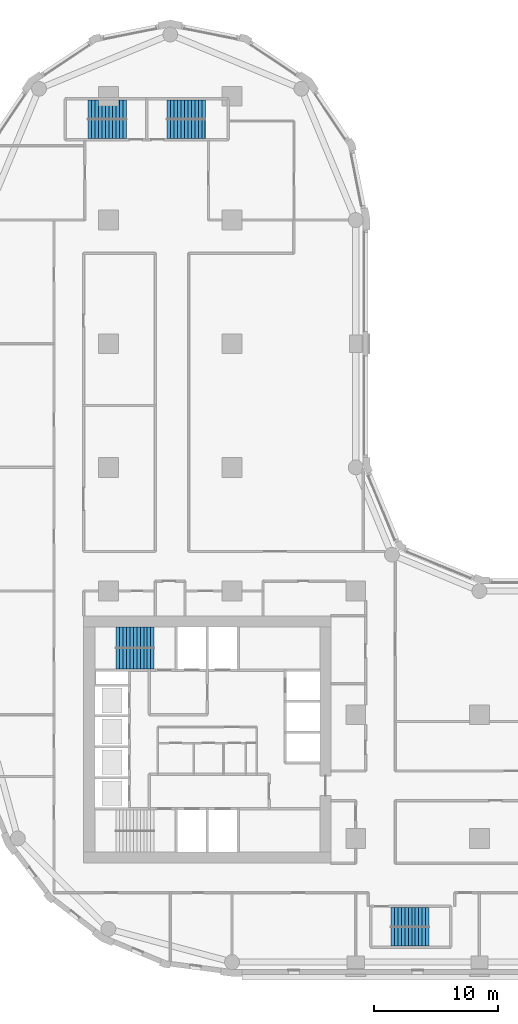
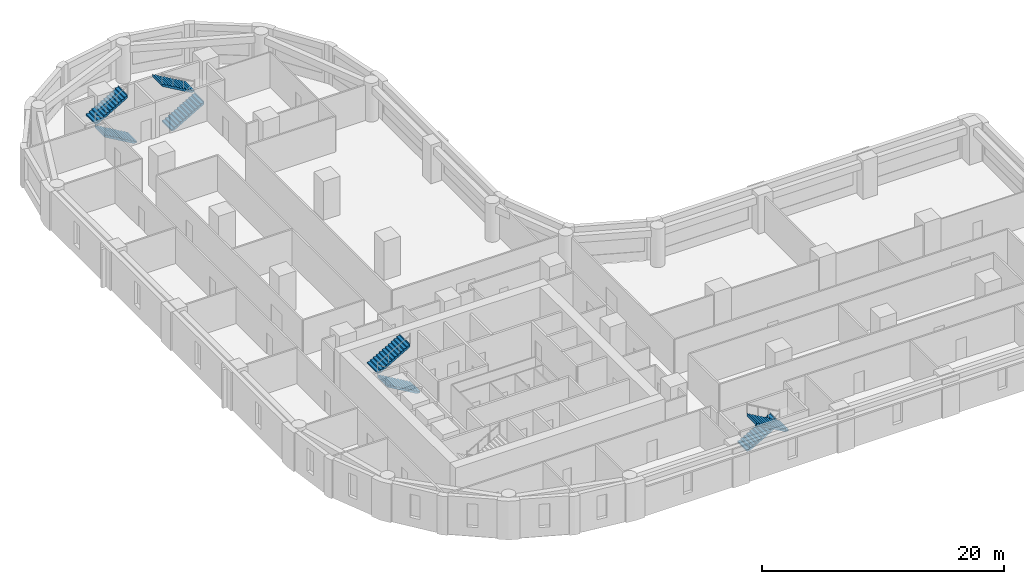
# One storey, part 9 of 11: 8 stair flights, 4 elements without a shape of their own.
"""IFC4 building model written with IfcOpenShell, lengths in metres."""

from ifc_helpers import new_model, si_unit, direction, frame, origin, place, context, subcontext, project, spatial, polyline, outline, extrude, material, type_object, element, aggregate, save


model = new_model("IFC4")

# Units and contexts
model_context = context("Model", 3, precision=1e-05, world=origin(), true_north=direction((0.0, 1.0)))
body_context = subcontext(model_context, "Body", "Model", "MODEL_VIEW")
ifc_project = project(units=[si_unit("LENGTHUNIT", "METRE"), si_unit("AREAUNIT", "SQUARE_METRE"), si_unit("VOLUMEUNIT", "CUBIC_METRE"), si_unit("PLANEANGLEUNIT", "RADIAN"), si_unit("MASSUNIT", "GRAM", prefix="KILO")], contexts=[model_context])

# Site, building, storey
site_placement = place(None, origin())
site = spatial("IfcSite", under=ifc_project, at=site_placement, CompositionType="ELEMENT")
building_placement = place(site_placement, origin())
building = spatial("IfcBuilding", under=site, at=building_placement, Name="Qaws Garden Tower", CompositionType="ELEMENT")
storey_placement = place(building_placement, frame((0.0, 0.0, 23.699951171875)))
storey = spatial("IfcBuildingStorey", under=building, at=storey_placement, Name="L05", CompositionType="ELEMENT", Elevation=23.699951171875)

# Stair, stair flights
ifc_material_1 = material(Name="Concrete C40", Category="concrete")
stair_type_1 = type_object("IfcStairType", Name="Exit stair 1350", PredefinedType="HALF_TURN_STAIR", material=ifc_material_1)
placement = place(storey_placement, origin())
stair_1 = element("IfcStair", 1, at=placement, inside=storey, type_object=stair_type_1, Name="Stair 5", PredefinedType="HALF_TURN_STAIR")
ifc_material_2 = material(Name="Concrete C40", Category="concrete")
stair_flight_type_1 = type_object("IfcStairFlightType", Name="Stair flight 1350", PredefinedType="STRAIGHT", material=ifc_material_2)
stair_flight_1_placement = place(storey_placement, frame((32.85009765625, 3.625, 0.0), z_axis=(0.0, 0.0, 1.0), x_axis=(1.0, 0.0, 0.0)))
stair_flight_1 = element("IfcStairFlight", 2, at=stair_flight_1_placement, type_object=stair_flight_type_1, Name="ST5 flight 1", NumberOfRisers=12, NumberOfTreads=11, PredefinedType="STRAIGHT", RiserHeight=0.1625, TreadLength=0.28, context=body_context, shape_type="SweptSolid", body=[
    extrude(outline(polyline([(-0.0029296875, 0.0), (-0.0029296875, 0.16259765625), (0.0, 0.16259765625), (0.280029296875, 0.16259765625), (0.280029296875, 0.324951171875), (0.56005859375, 0.324951171875), (0.56005859375, 0.487548828125), (0.840087890625, 0.487548828125), (0.840087890625, 0.64990234375), (1.1201171875, 0.64990234375), (1.1201171875, 0.8125), (1.39990234375, 0.8125), (1.39990234375, 0.97509765625), (1.679931640625, 0.97509765625), (1.679931640625, 1.137451171875), (1.9599609375, 1.137451171875), (1.9599609375, 1.300048828125), (2.239990234375, 1.300048828125), (2.239990234375, 1.46240234375), (2.52001953125, 1.46240234375), (2.52001953125, 1.625), (2.800048828125, 1.625), (2.800048828125, 1.78759765625), (3.080078125, 1.78759765625), (3.080078125, 1.949951171875), (3.0830078125, 1.949951171875), (3.0830078125, 1.6142578125), (3.080078125, 1.6142578125), (0.298583984375, 0.0), (-0.0029296875, 0.0)])), frame((0.0, 0.77490234375, 0.0), z_axis=(0.0, -1.0, 0.0), x_axis=(1.0, 0.0, 0.0)), (0.0, 0.0, 1.0), 1.550048828125),
])
stair_flight_2_placement = place(storey_placement, frame((35.929931640625, 2.074951171875, 1.949951171875), z_axis=(0.0, 0.0, 1.0), x_axis=(-1.0, 0.0, 0.0)))
stair_flight_2 = element("IfcStairFlight", 3, at=stair_flight_2_placement, type_object=stair_flight_type_1, Name="ST5 flight 2", NumberOfRisers=12, NumberOfTreads=11, PredefinedType="STRAIGHT", RiserHeight=0.1625, TreadLength=0.28, context=body_context, shape_type="SweptSolid", body=[
    extrude(outline(polyline([(-0.0029296875, 0.0), (-0.0029296875, 0.16259765625), (0.0, 0.16259765625), (0.280029296875, 0.16259765625), (0.280029296875, 0.324951171875), (0.56005859375, 0.324951171875), (0.56005859375, 0.487548828125), (0.840087890625, 0.487548828125), (0.840087890625, 0.64990234375), (1.1201171875, 0.64990234375), (1.1201171875, 0.8125), (1.39990234375, 0.8125), (1.39990234375, 0.97509765625), (1.679931640625, 0.97509765625), (1.679931640625, 1.137451171875), (1.9599609375, 1.137451171875), (1.9599609375, 1.300048828125), (2.239990234375, 1.300048828125), (2.239990234375, 1.46240234375), (2.52001953125, 1.46240234375), (2.52001953125, 1.625), (2.800048828125, 1.625), (2.800048828125, 1.78759765625), (3.080078125, 1.78759765625), (3.080078125, 1.949951171875), (3.0830078125, 1.949951171875), (3.0830078125, 1.6142578125), (3.080078125, 1.6142578125), (0.298583984375, 0.0), (-0.0029296875, 0.0)])), frame((0.0, 0.77490234375, 0.0), z_axis=(0.0, -1.0, 0.0), x_axis=(1.0, 0.0, 0.0)), (0.0, 0.0, 1.0), 1.550048828125),
])
aggregate(stair_1, [stair_flight_1, stair_flight_2])

stair_2 = element("IfcStair", 4, at=placement, inside=storey, type_object=stair_type_1, Name="Stair 6", PredefinedType="HALF_TURN_STAIR")
stair_flight_3_placement = place(storey_placement, frame((11.449951171875, 67.375, 0.0), z_axis=(0.0, 0.0, 1.0), x_axis=(-1.0, 0.0, 0.0)))
stair_flight_3 = element("IfcStairFlight", 5, at=stair_flight_3_placement, type_object=stair_flight_type_1, Name="ST6 flight 1", NumberOfRisers=12, NumberOfTreads=11, PredefinedType="STRAIGHT", RiserHeight=0.1625, TreadLength=0.28, context=body_context, shape_type="SweptSolid", body=[
    extrude(outline(polyline([(-0.0029296875, 0.0), (-0.0029296875, 0.16259765625), (0.0, 0.16259765625), (0.280029296875, 0.16259765625), (0.280029296875, 0.324951171875), (0.56005859375, 0.324951171875), (0.56005859375, 0.487548828125), (0.840087890625, 0.487548828125), (0.840087890625, 0.64990234375), (1.1201171875, 0.64990234375), (1.1201171875, 0.8125), (1.39990234375, 0.8125), (1.39990234375, 0.97509765625), (1.679931640625, 0.97509765625), (1.679931640625, 1.137451171875), (1.9599609375, 1.137451171875), (1.9599609375, 1.300048828125), (2.239990234375, 1.300048828125), (2.239990234375, 1.46240234375), (2.52001953125, 1.46240234375), (2.52001953125, 1.625), (2.800048828125, 1.625), (2.800048828125, 1.78759765625), (3.080078125, 1.78759765625), (3.080078125, 1.949951171875), (3.0830078125, 1.949951171875), (3.0830078125, 1.6142578125), (3.080078125, 1.6142578125), (0.298583984375, 0.0), (-0.0029296875, 0.0)])), frame((0.0, 0.77490234375, 0.0), z_axis=(0.0, -1.0, 0.0), x_axis=(1.0, 0.0, 0.0)), (0.0, 0.0, 1.0), 1.550048828125),
])
stair_flight_4_placement = place(storey_placement, frame((8.3701171875, 68.925048828125, 1.949951171875), z_axis=(0.0, 0.0, 1.0), x_axis=(1.0, 0.0, 0.0)))
stair_flight_4 = element("IfcStairFlight", 6, at=stair_flight_4_placement, type_object=stair_flight_type_1, Name="ST6 flight 2", NumberOfRisers=12, NumberOfTreads=11, PredefinedType="STRAIGHT", RiserHeight=0.1625, TreadLength=0.28, context=body_context, shape_type="SweptSolid", body=[
    extrude(outline(polyline([(-0.0029296875, 0.0), (-0.0029296875, 0.16259765625), (0.0, 0.16259765625), (0.280029296875, 0.16259765625), (0.280029296875, 0.324951171875), (0.56005859375, 0.324951171875), (0.56005859375, 0.487548828125), (0.840087890625, 0.487548828125), (0.840087890625, 0.64990234375), (1.1201171875, 0.64990234375), (1.1201171875, 0.8125), (1.39990234375, 0.8125), (1.39990234375, 0.97509765625), (1.679931640625, 0.97509765625), (1.679931640625, 1.137451171875), (1.9599609375, 1.137451171875), (1.9599609375, 1.300048828125), (2.239990234375, 1.300048828125), (2.239990234375, 1.46240234375), (2.52001953125, 1.46240234375), (2.52001953125, 1.625), (2.800048828125, 1.625), (2.800048828125, 1.78759765625), (3.080078125, 1.78759765625), (3.080078125, 1.949951171875), (3.0830078125, 1.949951171875), (3.0830078125, 1.6142578125), (3.080078125, 1.6142578125), (0.298583984375, 0.0), (-0.0029296875, 0.0)])), frame((0.0, 0.77490234375, 0.0), z_axis=(0.0, -1.0, 0.0), x_axis=(1.0, 0.0, 0.0)), (0.0, 0.0, 1.0), 1.550048828125),
])
aggregate(stair_2, [stair_flight_3, stair_flight_4])

stair_3 = element("IfcStair", 7, at=placement, inside=storey, type_object=stair_type_1, Name="Stair 7", PredefinedType="HALF_TURN_STAIR")
stair_flight_5_placement = place(storey_placement, frame((14.75, 67.375, 0.0), z_axis=(0.0, 0.0, 1.0), x_axis=(1.0, 0.0, 0.0)))
stair_flight_5 = element("IfcStairFlight", 8, at=stair_flight_5_placement, type_object=stair_flight_type_1, Name="ST7 flight 1", NumberOfRisers=12, NumberOfTreads=11, PredefinedType="STRAIGHT", RiserHeight=0.1625, TreadLength=0.28, context=body_context, shape_type="SweptSolid", body=[
    extrude(outline(polyline([(-0.0029296875, 0.0), (-0.0029296875, 0.16259765625), (0.0, 0.16259765625), (0.280029296875, 0.16259765625), (0.280029296875, 0.324951171875), (0.56005859375, 0.324951171875), (0.56005859375, 0.487548828125), (0.840087890625, 0.487548828125), (0.840087890625, 0.64990234375), (1.1201171875, 0.64990234375), (1.1201171875, 0.8125), (1.39990234375, 0.8125), (1.39990234375, 0.97509765625), (1.679931640625, 0.97509765625), (1.679931640625, 1.137451171875), (1.9599609375, 1.137451171875), (1.9599609375, 1.300048828125), (2.239990234375, 1.300048828125), (2.239990234375, 1.46240234375), (2.52001953125, 1.46240234375), (2.52001953125, 1.625), (2.800048828125, 1.625), (2.800048828125, 1.78759765625), (3.080078125, 1.78759765625), (3.080078125, 1.949951171875), (3.0830078125, 1.949951171875), (3.0830078125, 1.6142578125), (3.080078125, 1.6142578125), (0.298583984375, 0.0), (-0.0029296875, 0.0)])), frame((0.0, 0.77490234375, 0.0), z_axis=(0.0, -1.0, 0.0), x_axis=(1.0, 0.0, 0.0)), (0.0, 0.0, 1.0), 1.550048828125),
])
stair_flight_6_placement = place(storey_placement, frame((17.830078125, 68.925048828125, 1.949951171875), z_axis=(0.0, 0.0, 1.0), x_axis=(-1.0, 0.0, 0.0)))
stair_flight_6 = element("IfcStairFlight", 9, at=stair_flight_6_placement, type_object=stair_flight_type_1, Name="ST7 flight 2", NumberOfRisers=12, NumberOfTreads=11, PredefinedType="STRAIGHT", RiserHeight=0.1625, TreadLength=0.28, context=body_context, shape_type="SweptSolid", body=[
    extrude(outline(polyline([(-0.0029296875, 0.0), (-0.0029296875, 0.16259765625), (0.0, 0.16259765625), (0.280029296875, 0.16259765625), (0.280029296875, 0.324951171875), (0.56005859375, 0.324951171875), (0.56005859375, 0.487548828125), (0.840087890625, 0.487548828125), (0.840087890625, 0.64990234375), (1.1201171875, 0.64990234375), (1.1201171875, 0.8125), (1.39990234375, 0.8125), (1.39990234375, 0.97509765625), (1.679931640625, 0.97509765625), (1.679931640625, 1.137451171875), (1.9599609375, 1.137451171875), (1.9599609375, 1.300048828125), (2.239990234375, 1.300048828125), (2.239990234375, 1.46240234375), (2.52001953125, 1.46240234375), (2.52001953125, 1.625), (2.800048828125, 1.625), (2.800048828125, 1.78759765625), (3.080078125, 1.78759765625), (3.080078125, 1.949951171875), (3.0830078125, 1.949951171875), (3.0830078125, 1.6142578125), (3.080078125, 1.6142578125), (0.298583984375, 0.0), (-0.0029296875, 0.0)])), frame((0.0, 0.77490234375, 0.0), z_axis=(0.0, -1.0, 0.0), x_axis=(1.0, 0.0, 0.0)), (0.0, 0.0, 1.0), 1.550048828125),
])
aggregate(stair_3, [stair_flight_5, stair_flight_6])

ifc_material_3 = material(Name="Concrete C40", Category="concrete")
stair_type_2 = type_object("IfcStairType", Name="Exit stair 1500", PredefinedType="HALF_TURN_STAIR", material=ifc_material_3)
stair_4 = element("IfcStair", 10, at=placement, inside=storey, type_object=stair_type_2, Name="Stair 4", PredefinedType="HALF_TURN_STAIR")
ifc_material_4 = material(Name="Concrete C40", Category="concrete")
stair_flight_type_2 = type_object("IfcStairFlightType", Name="Stair flight 1500", PredefinedType="STRAIGHT", material=ifc_material_4)
stair_flight_7_placement = place(storey_placement, frame((13.699951171875, 24.550048828125, 0.0), z_axis=(0.0, 0.0, 1.0), x_axis=(-1.0, 0.0, 0.0)))
stair_flight_7 = element("IfcStairFlight", 11, at=stair_flight_7_placement, type_object=stair_flight_type_2, Name="ST4 flight 1", NumberOfRisers=12, NumberOfTreads=11, PredefinedType="STRAIGHT", RiserHeight=0.1625, TreadLength=0.28, context=body_context, shape_type="SweptSolid", body=[
    extrude(outline(polyline([(-0.0029296875, 0.0), (-0.0029296875, 0.16259765625), (0.0, 0.16259765625), (0.280029296875, 0.16259765625), (0.280029296875, 0.324951171875), (0.56005859375, 0.324951171875), (0.56005859375, 0.487548828125), (0.840087890625, 0.487548828125), (0.840087890625, 0.64990234375), (1.1201171875, 0.64990234375), (1.1201171875, 0.8125), (1.39990234375, 0.8125), (1.39990234375, 0.97509765625), (1.679931640625, 0.97509765625), (1.679931640625, 1.137451171875), (1.9599609375, 1.137451171875), (1.9599609375, 1.300048828125), (2.239990234375, 1.300048828125), (2.239990234375, 1.46240234375), (2.52001953125, 1.46240234375), (2.52001953125, 1.625), (2.800048828125, 1.625), (2.800048828125, 1.78759765625), (3.080078125, 1.78759765625), (3.080078125, 1.949951171875), (3.0830078125, 1.949951171875), (3.0830078125, 1.6142578125), (3.080078125, 1.6142578125), (0.298583984375, 0.0), (-0.0029296875, 0.0)])), frame((0.0, 0.844970703125, 0.0), z_axis=(0.0, -1.0, 0.0), x_axis=(1.0, 0.0, 0.0)), (0.0, 0.0, 1.0), 1.68994140625),
])
stair_flight_8_placement = place(storey_placement, frame((10.6201171875, 26.25, 1.949951171875), z_axis=(0.0, 0.0, 1.0), x_axis=(1.0, 0.0, 0.0)))
stair_flight_8 = element("IfcStairFlight", 12, at=stair_flight_8_placement, type_object=stair_flight_type_2, Name="ST4 flight 2", NumberOfRisers=12, NumberOfTreads=11, PredefinedType="STRAIGHT", RiserHeight=0.1625, TreadLength=0.28, context=body_context, shape_type="SweptSolid", body=[
    extrude(outline(polyline([(-0.0029296875, 0.0), (-0.0029296875, 0.16259765625), (0.0, 0.16259765625), (0.280029296875, 0.16259765625), (0.280029296875, 0.324951171875), (0.56005859375, 0.324951171875), (0.56005859375, 0.487548828125), (0.840087890625, 0.487548828125), (0.840087890625, 0.64990234375), (1.1201171875, 0.64990234375), (1.1201171875, 0.8125), (1.39990234375, 0.8125), (1.39990234375, 0.97509765625), (1.679931640625, 0.97509765625), (1.679931640625, 1.137451171875), (1.9599609375, 1.137451171875), (1.9599609375, 1.300048828125), (2.239990234375, 1.300048828125), (2.239990234375, 1.46240234375), (2.52001953125, 1.46240234375), (2.52001953125, 1.625), (2.800048828125, 1.625), (2.800048828125, 1.78759765625), (3.080078125, 1.78759765625), (3.080078125, 1.949951171875), (3.0830078125, 1.949951171875), (3.0830078125, 1.6142578125), (3.080078125, 1.6142578125), (0.298583984375, 0.0), (-0.0029296875, 0.0)])), frame((0.0, 0.844970703125, 0.0), z_axis=(0.0, -1.0, 0.0), x_axis=(1.0, 0.0, 0.0)), (0.0, 0.0, 1.0), 1.68994140625),
])
aggregate(stair_4, [stair_flight_7, stair_flight_8])

save(model, "model.ifc")
